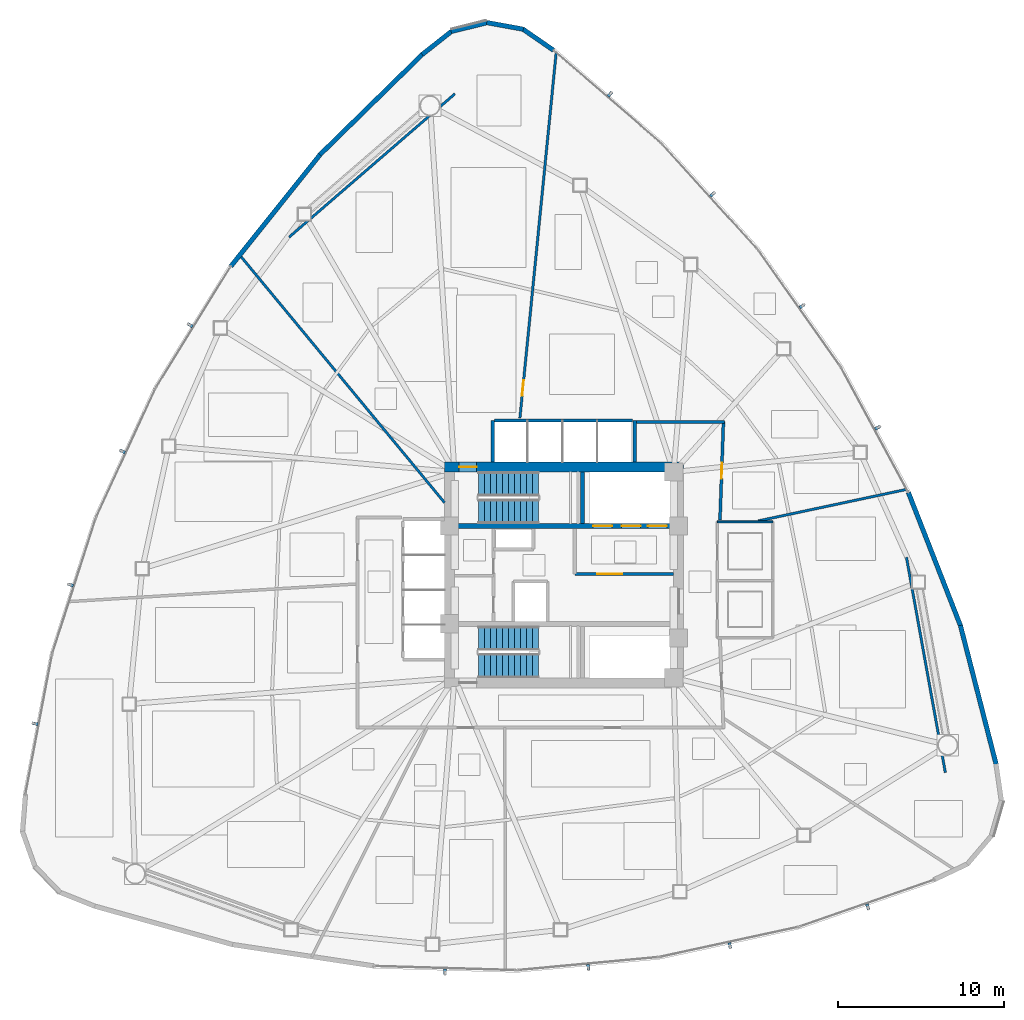
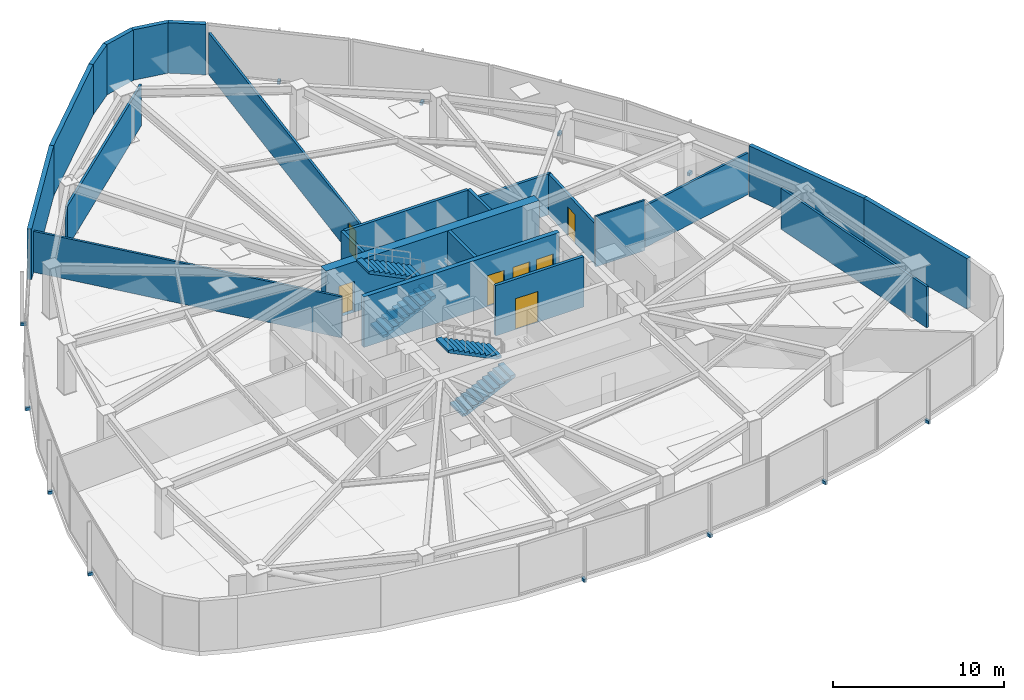
# One storey, part 12 of 16: 23 walls, 12 discrete accessories, 7 doors, 4 stair flights, 7 openings, 2 elements without a shape of their own.
"""IFC4 building model written with IfcOpenShell, lengths in metres."""

from ifc_helpers import new_model, si_unit, direction, frame, frame_2d, origin, origin_2d, place, context, subcontext, project, spatial, polyline, rectangle, outline, extrude, source, transform, mapped, material, layer, layer_set, type_object, type_shapes, element, fill, aggregate, save


model = new_model("IFC4")

# Units and contexts
model_context = context("Model", 3, precision=1e-05, world=origin(), true_north=direction((0.0, 1.0)))
body_context = subcontext(model_context, "Body", "Model", "MODEL_VIEW")
ifc_project = project(units=[si_unit("LENGTHUNIT", "METRE"), si_unit("AREAUNIT", "SQUARE_METRE"), si_unit("VOLUMEUNIT", "CUBIC_METRE"), si_unit("PLANEANGLEUNIT", "RADIAN"), si_unit("MASSUNIT", "GRAM", prefix="KILO")], contexts=[model_context])

# Site, building, storey
site_placement = place(None, origin())
site = spatial("IfcSite", under=ifc_project, at=site_placement, CompositionType="ELEMENT")
building_placement = place(site_placement, origin())
building = spatial("IfcBuilding", under=site, at=building_placement, Name="Tavelor Broadcast Tower", CompositionType="ELEMENT")
storey_placement = place(building_placement, frame((0.0, 0.0, 31.5)))
storey = spatial("IfcBuildingStorey", under=building, at=storey_placement, Name="L06", CompositionType="ELEMENT", Elevation=31.5)

# Wall, opening, door
ifc_material_1 = material(Name="Concrete C60/75", Category="concrete")
ifc_layer_1 = layer(ifc_material_1, 0.60009765625)
ifc_layer_set_1 = layer_set([ifc_layer_1], Name="Concrete C60/75")
wall_type_1 = type_object("IfcWallType", Name="Core Shear Wall 600 mm", PredefinedType="SHEAR", material=ifc_layer_set_1)
wall_1_placement = place(storey_placement, frame((42.800048828125, 51.5, 0.0), z_axis=(0.0, 0.0, 1.0), x_axis=(1.0, 0.0, 0.0)))
wall_1 = element("IfcWall", 1, at=wall_1_placement, inside=storey, type_object=wall_type_1, Name="L06 Central Core Shear Wall N", PredefinedType="SHEAR", context=body_context, shape_type="SweptSolid", body=[
    extrude(rectangle(XDim=14.39990234375, YDim=0.60009765625, at=frame_2d((7.199951171875, 0.0))), origin(), (0.0, 0.0, 1.0), 3.60009765625),
])
opening_1_placement = place(wall_1_placement, frame((0.8798828125, 0.0, 0.0)))
opening_1 = element("IfcOpeningElement", 2, at=opening_1_placement, cuts=wall_1, Name="Opening DR11", PredefinedType="OPENING", context=body_context, shape_type="SweptSolid", body=[
    extrude(rectangle(XDim=1.050048828125, YDim=2.199951171875, at=frame_2d((0.52490234375, 1.10009765625))), frame((0.0, 0.31005859375, 0.0), z_axis=(0.0, -1.0, 0.0), x_axis=(1.0, 0.0, 0.0)), (0.0, 0.0, 1.0), 0.6201171875),
])
ifc_material_2 = material(Name="Steel S355", Category="steel")
door_type_1 = type_object("IfcDoorType", Name="Stair Core Fire Escape Door 1050x2200", OperationType="NOTDEFINED", PredefinedType="DOOR", material=ifc_material_2)
door_1_placement = place(opening_1_placement, origin())
door_1 = element("IfcDoor", 3, at=door_1_placement, inside=storey, type_object=door_type_1, Name="L06 Stair ST1 Protected Exit Door", OperationType="SINGLE_SWING_LEFT", OverallHeight=2.199951171875, OverallWidth=1.050048828125, PredefinedType="DOOR", context=body_context, shape_type="SweptSolid", body=[
    extrude(rectangle(XDim=1.050048828125, YDim=2.199951171875, at=frame_2d((0.52490234375, 1.10009765625))), frame((0.0, 0.02490234375, 0.0), z_axis=(0.0, -1.0, 0.0), x_axis=(1.0, 0.0, 0.0)), (0.0, 0.0, 1.0), 0.050048828125),
])
fill(opening_1, door_1)

# Wall, openings, doors
ifc_layer_2 = layer(ifc_material_1, 0.300048828125)
ifc_layer_set_2 = layer_set([ifc_layer_2], Name="Concrete C60/75")
wall_type_2 = type_object("IfcWallType", Name="Core Spine Shear Wall 300 mm C60", PredefinedType="SHEAR", material=ifc_layer_set_2)
wall_2_placement = place(storey_placement, frame((43.39990234375, 47.949951171875, 0.0), z_axis=(0.0, 0.0, 1.0), x_axis=(1.0, 0.0, 0.0)))
wall_2 = element("IfcWall", 4, at=wall_2_placement, inside=storey, type_object=wall_type_2, Name="L06 Central Core Shear Wall SP1", PredefinedType="SHEAR", context=body_context, shape_type="SweptSolid", body=[
    extrude(rectangle(XDim=13.2001953125, YDim=0.300048828125, at=frame_2d((6.60009765625, 0.0))), origin(), (0.0, 0.0, 1.0), 3.60009765625),
])
opening_2_placement = place(wall_2_placement, frame((8.344970703125, 0.0, 0.0)))
opening_2 = element("IfcOpeningElement", 5, at=opening_2_placement, cuts=wall_2, Name="Opening LD02", PredefinedType="OPENING", context=body_context, shape_type="SweptSolid", body=[
    extrude(rectangle(XDim=1.14990234375, YDim=2.199951171875, at=frame_2d((0.574951171875, 1.10009765625))), frame((0.0, 0.16015625, 0.0), z_axis=(0.0, -1.0, 0.0), x_axis=(1.0, 0.0, 0.0)), (0.0, 0.0, 1.0), 0.320068359375),
])
opening_3_placement = place(wall_2_placement, frame((10.06494140625, 0.0, 0.0)))
opening_3 = element("IfcOpeningElement", 6, at=opening_3_placement, cuts=wall_2, Name="Opening LD02", PredefinedType="OPENING", context=body_context, shape_type="SweptSolid", body=[
    extrude(rectangle(XDim=1.14990234375, YDim=2.199951171875, at=frame_2d((0.574951171875, 1.10009765625))), frame((0.0, 0.16015625, 0.0), z_axis=(0.0, -1.0, 0.0), x_axis=(1.0, 0.0, 0.0)), (0.0, 0.0, 1.0), 0.320068359375),
])
opening_4_placement = place(wall_2_placement, frame((11.64501953125, 0.0, 0.0)))
opening_4 = element("IfcOpeningElement", 7, at=opening_4_placement, cuts=wall_2, Name="Opening LD03", PredefinedType="OPENING", context=body_context, shape_type="SweptSolid", body=[
    extrude(rectangle(XDim=1.14990234375, YDim=2.199951171875, at=frame_2d((0.574951171875, 1.10009765625))), frame((0.0, 0.16015625, 0.0), z_axis=(0.0, -1.0, 0.0), x_axis=(1.0, 0.0, 0.0)), (0.0, 0.0, 1.0), 0.320068359375),
])
ifc_material_3 = material(Name="Reinforced Brushed Stainless Steel", Category="concrete")
door_type_2 = type_object("IfcDoorType", Name="Broadcast Goods Lift Sliding Landing Door 1250x2200", OperationType="NOTDEFINED", PredefinedType="DOOR", material=ifc_material_3)
door_2_placement = place(opening_4_placement, origin())
door_2 = element("IfcDoor", 8, at=door_2_placement, inside=storey, type_object=door_type_2, Name="L06 Lift SVL1 Sliding Landing Door", OperationType="SLIDING_TO_LEFT", OverallHeight=2.199951171875, OverallWidth=1.14990234375, PredefinedType="DOOR", context=body_context, shape_type="SweptSolid", body=[
    extrude(rectangle(XDim=1.14990234375, YDim=2.199951171875, at=frame_2d((0.574951171875, 1.10009765625))), frame((0.0, 0.02490234375, 0.0), z_axis=(0.0, -1.0, 0.0), x_axis=(1.0, 0.0, 0.0)), (0.0, 0.0, 1.0), 0.050048828125),
])
fill(opening_4, door_2)
ifc_material_4 = material(Name="Fire-Rated Stainless Steel", Category="steel")
door_type_3 = type_object("IfcDoorType", Name="Firefighting Lift Sliding Landing Door 1200x2200", OperationType="NOTDEFINED", PredefinedType="DOOR", material=ifc_material_4)
door_3_placement = place(opening_2_placement, origin())
door_3 = element("IfcDoor", 9, at=door_3_placement, inside=storey, type_object=door_type_3, Name="L06 Lift FFL1 Sliding Landing Door", OperationType="SLIDING_TO_LEFT", OverallHeight=2.199951171875, OverallWidth=1.14990234375, PredefinedType="DOOR", context=body_context, shape_type="SweptSolid", body=[
    extrude(rectangle(XDim=1.14990234375, YDim=2.199951171875, at=frame_2d((0.574951171875, 1.10009765625))), frame((0.0, 0.02490234375, 0.0), z_axis=(0.0, -1.0, 0.0), x_axis=(1.0, 0.0, 0.0)), (0.0, 0.0, 1.0), 0.050048828125),
])
fill(opening_2, door_3)
door_4_placement = place(opening_3_placement, origin())
door_4 = element("IfcDoor", 10, at=door_4_placement, inside=storey, type_object=door_type_3, Name="L06 Lift FFL2 Sliding Landing Door", OperationType="SLIDING_TO_LEFT", OverallHeight=2.199951171875, OverallWidth=1.14990234375, PredefinedType="DOOR", context=body_context, shape_type="SweptSolid", body=[
    extrude(rectangle(XDim=1.14990234375, YDim=2.199951171875, at=frame_2d((0.574951171875, 1.10009765625))), frame((0.0, 0.02490234375, 0.0), z_axis=(0.0, -1.0, 0.0), x_axis=(1.0, 0.0, 0.0)), (0.0, 0.0, 1.0), 0.050048828125),
])
fill(opening_3, door_4)

# Wall
ifc_material_5 = material(Name="Calcium Silicate Fire Board 180 mm", Category="gypsum")
ifc_layer_3 = layer(ifc_material_5, 0.179931640625)
ifc_layer_set_3 = layer_set([ifc_layer_3], Name="Calcium Silicate Fire Board 180 mm")
wall_type_3 = type_object("IfcWallType", Name="Fire-Rated Corridor Partition Wall 180 mm", PredefinedType="PARTITIONING", material=ifc_layer_set_3)
wall_3_placement = place(storey_placement, frame((54.300048828125, 54.199951171875, 0.0), z_axis=(0.0, 0.0, 1.0), x_axis=(1.0, 0.0, 0.0)))
element("IfcWall", 11, at=wall_3_placement, inside=storey, type_object=wall_type_3, Name="L06 Corridor Compartment Wall 01", PredefinedType="PARTITIONING", context=body_context, shape_type="SweptSolid", body=[
    extrude(rectangle(XDim=5.349853515625, YDim=0.179931640625, at=frame_2d((2.6748046875, 0.0))), origin(), (0.0, 0.0, 1.0), 2.925048828125),
])

# Wall, opening, door
wall_4_placement = place(storey_placement, frame((59.601806640625, 54.25, 0.0), z_axis=(0.0, 0.0, 1.0), x_axis=(-0.035265891834, -0.999377964973, 0.0)))
wall_4 = element("IfcWall", 12, at=wall_4_placement, inside=storey, type_object=wall_type_3, Name="L06 Corridor Compartment Wall 02", PredefinedType="PARTITIONING", context=body_context, shape_type="SweptSolid", body=[
    extrude(rectangle(XDim=5.95361328125, YDim=0.179931640625, at=frame_2d((2.976806640625, 0.0))), origin(), (0.0, 0.0, 1.0), 2.925048828125),
])
opening_5_placement = place(wall_4_placement, frame((2.501708984375, 0.0, 0.0)))
opening_5 = element("IfcOpeningElement", 13, at=opening_5_placement, cuts=wall_4, Name="Opening DR18", PredefinedType="OPENING", context=body_context, shape_type="SweptSolid", body=[
    extrude(rectangle(XDim=0.949951171875, YDim=2.050048828125, at=frame_2d((0.47509765625, 1.02490234375))), frame((0.0, 0.10009765625, 0.0), z_axis=(0.0, -1.0, 0.0), x_axis=(1.0, 0.0, 0.0)), (0.0, 0.0, 1.0), 0.199951171875),
])
ifc_material_6 = material(Name="Timber Solid Core Hardwood", Category="wood")
door_type_4 = type_object("IfcDoorType", Name="Corridor Rated Compartment Door 950x2050", OperationType="NOTDEFINED", PredefinedType="DOOR", material=ifc_material_6)
door_5_placement = place(opening_5_placement, origin())
door_5 = element("IfcDoor", 14, at=door_5_placement, inside=storey, type_object=door_type_4, Name="L06 Editorial Quiet Study Door R5", OperationType="SINGLE_SWING_RIGHT", OverallHeight=2.050048828125, OverallWidth=0.949951171875, PredefinedType="DOOR", context=body_context, shape_type="SweptSolid", body=[
    extrude(rectangle(XDim=0.949951171875, YDim=2.050048828125, at=frame_2d((0.47509765625, 1.02490234375))), frame((0.0, 0.02490234375, 0.0), z_axis=(0.0, -1.0, 0.0), x_axis=(1.0, 0.0, 0.0)), (0.0, 0.0, 1.0), 0.050048828125),
])
fill(opening_5, door_5)

# Walls
ifc_material_7 = material(Name="Precast Concrete C40/50", Category="concrete")
ifc_layer_4 = layer(ifc_material_7, 0.280029296875)
ifc_layer_set_4 = layer_set([ifc_layer_4], Name="Precast Concrete C40/50")
wall_type_4 = type_object("IfcWallType", Name="Insulated Precast Terracotta Facade Wall 280 mm", PredefinedType="STANDARD", material=ifc_layer_set_4)
wall_5_placement = place(storey_placement, frame((49.365234375, 76.607421875, 0.0), z_axis=(0.0, 0.0, 1.0), x_axis=(-0.822668510747, 0.568521346499, 0.0)))
element("IfcWall", 15, at=wall_5_placement, inside=storey, type_object=wall_type_4, Name="L06 Rounded Corner Structural Cladding Pier 01", PredefinedType="STANDARD", context=body_context, shape_type="SweptSolid", body=[
    extrude(rectangle(XDim=2.249755859375, YDim=0.280029296875, at=frame_2d((1.125, 0.0))), origin(), (0.0, 0.0, 1.0), 3.60009765625),
])
for number, where, z_axis, x_axis, name in (
    (16, (47.54150390625, 77.875244140625, 0.0), (0.0, 0.0, 1.0), (-0.983712468451, 0.179749212552, 0.0), "L06 Rounded Corner Structural Cladding Pier 02"),
    (17, (45.368896484375, 78.2783203125, 0.0), (0.0, 0.0, 1.0), (-0.97051348272, -0.241046841629, 0.0), "L06 Rounded Corner Structural Cladding Pier 03"),
):
    element("IfcWall", number, at=place(storey_placement, frame(where, z_axis=z_axis, x_axis=x_axis)), inside=storey, type_object=wall_type_4, Name=name, PredefinedType="STANDARD", context=body_context, shape_type="SweptSolid", body=[
        extrude(rectangle(XDim=2.23828125, YDim=0.280029296875, at=frame_2d((1.119140625, 0.0))), origin(), (0.0, 0.0, 1.0), 3.60009765625),
    ])
wall_6_placement = place(storey_placement, frame((43.222900390625, 77.751708984375, 0.0), z_axis=(0.0, 0.0, 1.0), x_axis=(-0.785294404036, -0.619122523407, 0.0)))
element("IfcWall", 18, at=wall_6_placement, inside=storey, type_object=wall_type_4, Name="L06 Rounded Corner Structural Cladding Pier 04", PredefinedType="STANDARD", context=body_context, shape_type="SweptSolid", body=[
    extrude(rectangle(XDim=2.260986328125, YDim=0.280029296875, at=frame_2d((1.13037109375, 0.0))), origin(), (0.0, 0.0, 1.0), 3.60009765625),
])
wall_7_placement = place(storey_placement, frame((41.4697265625, 76.37158203125, 0.0), z_axis=(0.0, 0.0, 1.0), x_axis=(-0.714184334578, -0.699957667465, 0.0)))
element("IfcWall", 19, at=wall_7_placement, inside=storey, type_object=wall_type_4, Name="L06 Rounded Corner Structural Cladding Pier 05", PredefinedType="STANDARD", context=body_context, shape_type="SweptSolid", body=[
    extrude(rectangle(XDim=8.64892578125, YDim=0.280029296875, at=frame_2d((4.324462890625, 0.0))), origin(), (0.0, 0.0, 1.0), 3.60009765625),
])
wall_8_placement = place(storey_placement, frame((35.312744140625, 70.33984375, 0.0), z_axis=(0.0, 0.0, 1.0), x_axis=(-0.624222665677, -0.781246480731, 0.0)))
element("IfcWall", 20, at=wall_8_placement, inside=storey, type_object=wall_type_4, Name="L06 Rounded Corner Structural Cladding Pier 06", PredefinedType="STANDARD", context=body_context, shape_type="SweptSolid", body=[
    extrude(rectangle(XDim=8.636962890625, YDim=0.280029296875, at=frame_2d((4.318359375, 0.0))), origin(), (0.0, 0.0, 1.0), 3.60009765625),
])
wall_9_placement = place(storey_placement, frame((76.03369140625, 33.583740234375, 0.0), z_axis=(0.0, 0.0, 1.0), x_axis=(-0.249078863516, 0.968483205714, 0.0)))
element("IfcWall", 21, at=wall_9_placement, inside=storey, type_object=wall_type_4, Name="L06 Rounded Corner Structural Cladding Pier 25", PredefinedType="STANDARD", context=body_context, shape_type="SweptSolid", body=[
    extrude(rectangle(XDim=8.649169921875, YDim=0.280029296875, at=frame_2d((4.32470703125, 0.0))), origin(), (0.0, 0.0, 1.0), 3.60009765625),
])
wall_10_placement = place(storey_placement, frame((73.888671875, 41.931884765625, 0.0), z_axis=(0.0, 0.0, 1.0), x_axis=(-0.364469689699, 0.931215251857, 0.0)))
element("IfcWall", 22, at=wall_10_placement, inside=storey, type_object=wall_type_4, Name="L06 Rounded Corner Structural Cladding Pier 26", PredefinedType="STANDARD", context=body_context, shape_type="SweptSolid", body=[
    extrude(rectangle(XDim=8.636962890625, YDim=0.280029296875, at=frame_2d((4.318359375, 0.0))), origin(), (0.0, 0.0, 1.0), 3.60009765625),
])
ifc_material_8 = material(Name="Gypsum Acoustic Plasterboard 150 mm", Category="gypsum")
ifc_layer_5 = layer(ifc_material_8, 0.14990234375)
ifc_layer_set_5 = layer_set([ifc_layer_5], Name="Gypsum Acoustic Plasterboard 150 mm")
wall_type_5 = type_object("IfcWallType", Name="Interior Acoustic Partition Wall 150 mm", PredefinedType="PARTITIONING", material=ifc_layer_set_5)
wall_11_placement = place(storey_placement, frame((43.42138671875, 73.9794921875, 0.0), z_axis=(0.0, 0.0, 1.0), x_axis=(-0.756659135409, -0.653809569218, 0.0)))
element("IfcWall", 23, at=wall_11_placement, inside=storey, type_object=wall_type_5, Name="L06 Corner Tube Brace Furring Wall 1", PredefinedType="PARTITIONING", context=body_context, shape_type="SweptSolid", body=[
    extrude(rectangle(XDim=13.200439453125, YDim=0.14990234375, at=frame_2d((6.60009765625, 0.0))), origin(), (0.0, 0.0, 1.0), 2.925048828125),
])
wall_12_placement = place(storey_placement, frame((72.96923828125, 33.09130859375, 0.0), z_axis=(0.0, 0.0, 1.0), x_axis=(-0.177742578179, 0.984077017261, 0.0)))
element("IfcWall", 24, at=wall_12_placement, inside=storey, type_object=wall_type_5, Name="L06 Corner Tube Brace Furring Wall 3", PredefinedType="PARTITIONING", context=body_context, shape_type="SweptSolid", body=[
    extrude(rectangle(XDim=13.179443359375, YDim=0.14990234375, at=frame_2d((6.58984375, 0.0))), origin(), (0.0, 0.0, 1.0), 2.925048828125),
])
wall_13_placement = place(storey_placement, frame((61.68994140625, 48.25, 0.0), z_axis=(0.0, 0.0, 1.0), x_axis=(0.978145714451, 0.207920564881, 0.0)))
element("IfcWall", 25, at=wall_13_placement, inside=storey, type_object=wall_type_5, Name="L06 Radial Compartment Wall 01", PredefinedType="PARTITIONING", context=body_context, shape_type="SweptSolid", body=[
    extrude(rectangle(XDim=9.16455078125, YDim=0.14990234375, at=frame_2d((4.582275390625, 0.0))), origin(), (0.0, 0.0, 1.0), 2.97509765625),
])

# Wall, opening, door
wall_14_placement = place(storey_placement, frame((47.33837890625, 54.449951171875, 0.0), z_axis=(0.0, 0.0, 1.0), x_axis=(0.098804932586, 0.995106821048, 0.0)))
wall_14 = element("IfcWall", 26, at=wall_14_placement, inside=storey, type_object=wall_type_5, Name="L06 Radial Compartment Wall 02", PredefinedType="PARTITIONING", context=body_context, shape_type="SweptSolid", body=[
    extrude(rectangle(XDim=22.1396484375, YDim=0.14990234375, at=frame_2d((11.06982421875, 0.0))), origin(), (0.0, 0.0, 1.0), 2.97509765625),
])
opening_6_placement = place(wall_14_placement, frame((1.35009765625, 0.0, 0.0)))
opening_6 = element("IfcOpeningElement", 27, at=opening_6_placement, cuts=wall_14, Name="Opening DR18", PredefinedType="OPENING", context=body_context, shape_type="SweptSolid", body=[
    extrude(rectangle(XDim=0.949951171875, YDim=2.050048828125, at=frame_2d((0.47509765625, 1.02490234375))), frame((0.0, 0.0849609375, 0.0), z_axis=(0.0, -1.0, 0.0), x_axis=(1.0, 0.0, 0.0)), (0.0, 0.0, 1.0), 0.169921875),
])
door_6_placement = place(opening_6_placement, origin())
door_6 = element("IfcDoor", 28, at=door_6_placement, inside=storey, type_object=door_type_4, Name="L06 Suite Connecting Door 4", OperationType="SINGLE_SWING_LEFT", OverallHeight=2.050048828125, OverallWidth=0.949951171875, PredefinedType="DOOR", context=body_context, shape_type="SweptSolid", body=[
    extrude(rectangle(XDim=0.949951171875, YDim=2.050048828125, at=frame_2d((0.47509765625, 1.02490234375))), frame((0.0, 0.02490234375, 0.0), z_axis=(0.0, -1.0, 0.0), x_axis=(1.0, 0.0, 0.0)), (0.0, 0.0, 1.0), 0.050048828125),
])
fill(opening_6, door_6)

# Walls
wall_15_placement = place(storey_placement, frame((42.800048828125, 49.351318359375, 0.0), z_axis=(0.0, 0.0, 1.0), x_axis=(-0.637467614693, 0.770477151003, 0.0)))
element("IfcWall", 29, at=wall_15_placement, inside=storey, type_object=wall_type_5, Name="L06 Radial Compartment Wall 03", PredefinedType="PARTITIONING", context=body_context, shape_type="SweptSolid", body=[
    extrude(rectangle(XDim=19.368408203125, YDim=0.14990234375, at=frame_2d((9.68408203125, 0.0))), origin(), (0.0, 0.0, 1.0), 2.925048828125),
])
ifc_material_9 = material(Name="Concrete Blockwork 200 mm", Category="masonry")
ifc_layer_6 = layer(ifc_material_9, 0.199951171875)
ifc_layer_set_6 = layer_set([ifc_layer_6], Name="Concrete Blockwork 200 mm")
wall_type_6 = type_object("IfcWallType", Name="Lift Hoistway Rated Front Wall 200 mm", PredefinedType="PARTITIONING", material=ifc_layer_set_6)
wall_16_placement = place(storey_placement, frame((45.820068359375, 54.300048828125, 0.0), z_axis=(0.0, 0.0, 1.0), x_axis=(1.0, 0.0, 0.0)))
element("IfcWall", 30, at=wall_16_placement, inside=storey, type_object=wall_type_6, Name="L06 High-Rise Lift Hoistway Front Wall", PredefinedType="PARTITIONING", context=body_context, shape_type="SweptSolid", body=[
    extrude(rectangle(XDim=8.309814453125, YDim=0.199951171875, at=frame_2d((4.15478515625, 0.0))), origin(), (0.0, 0.0, 1.0), 3.60009765625),
])
ifc_layer_7 = layer(ifc_material_9, 0.199951171875)
ifc_layer_set_7 = layer_set([ifc_layer_7], Name="Concrete Blockwork 200 mm")
wall_type_7 = type_object("IfcWallType", Name="Lift and Riser Shaft Enclosure Wall 200 mm", PredefinedType="PARTITIONING", material=ifc_layer_set_7)
for number, where, z_axis, x_axis, name in (
    (31, (45.699951171875, 51.800048828125, 0.0), (0.0, 0.0, 1.0), (0.0, 1.0, 0.0), "L06 High-Rise Lift Shaft West Wall"),
    (32, (54.25, 51.800048828125, 0.0), (0.0, 0.0, 1.0), (0.0, 1.0, 0.0), "L06 High-Rise Lift Shaft East Wall"),
):
    element("IfcWall", number, at=place(storey_placement, frame(where, z_axis=z_axis, x_axis=x_axis)), inside=storey, type_object=wall_type_7, Name=name, PredefinedType="PARTITIONING", context=body_context, shape_type="SweptSolid", body=[
        extrude(rectangle(XDim=2.5, YDim=0.199951171875, at=frame_2d((1.25, 0.0))), origin(), (0.0, 0.0, 1.0), 3.60009765625),
    ])

# Wall, opening, door
wall_17_placement = place(storey_placement, frame((50.64990234375, 45.050048828125, 0.0), z_axis=(0.0, 0.0, 1.0), x_axis=(1.0, 0.0, 0.0)))
wall_17 = element("IfcWall", 33, at=wall_17_placement, inside=storey, type_object=wall_type_7, Name="L06 Firefighting Lobby South Wall", PredefinedType="PARTITIONING", context=body_context, shape_type="SweptSolid", body=[
    extrude(rectangle(XDim=5.9501953125, YDim=0.199951171875, at=frame_2d((2.97509765625, 0.0))), origin(), (0.0, 0.0, 1.0), 3.60009765625),
])
opening_7_placement = place(wall_17_placement, frame((1.35009765625, 0.0, 0.0)))
opening_7 = element("IfcOpeningElement", 34, at=opening_7_placement, cuts=wall_17, Name="Opening DR14", PredefinedType="OPENING", context=body_context, shape_type="SweptSolid", body=[
    extrude(rectangle(XDim=1.5, YDim=2.199951171875, at=frame_2d((0.75, 1.10009765625))), frame((0.0, 0.10986328125, 0.0), z_axis=(0.0, -1.0, 0.0), x_axis=(1.0, 0.0, 0.0)), (0.0, 0.0, 1.0), 0.219970703125),
])
door_type_5 = type_object("IfcDoorType", Name="Firefighting Lobby Double Fire Door 1500x2200", OperationType="NOTDEFINED", PredefinedType="DOOR", material=ifc_material_2)
door_7_placement = place(opening_7_placement, origin())
door_7 = element("IfcDoor", 35, at=door_7_placement, inside=storey, type_object=door_type_5, Name="L06 Firefighting Lobby Compartment Door", OperationType="SINGLE_SWING_RIGHT", OverallHeight=2.199951171875, OverallWidth=1.5, PredefinedType="DOOR", context=body_context, shape_type="SweptSolid", body=[
    extrude(rectangle(XDim=1.5, YDim=2.199951171875, at=frame_2d((0.75, 1.10009765625))), frame((0.0, 0.02490234375, 0.0), z_axis=(0.0, -1.0, 0.0), x_axis=(1.0, 0.0, 0.0)), (0.0, 0.0, 1.0), 0.050048828125),
])
fill(opening_7, door_7)

# Walls
ifc_material_10 = material(Name="Moisture-Resistant Plasterboard 120 mm", Category="gypsum")
ifc_layer_8 = layer(ifc_material_10, 0.1201171875)
ifc_layer_set_8 = layer_set([ifc_layer_8], Name="Moisture-Resistant Plasterboard 120 mm")
wall_type_8 = type_object("IfcWallType", Name="Moisture-Resistant Wet-Room Partition 120 mm", PredefinedType="PARTITIONING", material=ifc_layer_set_8)
wall_18_placement = place(storey_placement, frame((59.239990234375, 48.199951171875, 0.0), z_axis=(0.0, 0.0, 1.0), x_axis=(1.0, 0.0, 0.0)))
element("IfcWall", 36, at=wall_18_placement, inside=storey, type_object=wall_type_8, Name="L06 Floor Washrooms North Wall", PredefinedType="PARTITIONING", context=body_context, shape_type="SweptSolid", body=[
    extrude(rectangle(XDim=3.340087890625, YDim=0.1201171875, at=frame_2d((1.669921875, 0.0))), origin(), (0.0, 0.0, 1.0), 3.60009765625),
])
ifc_material_11 = material(Name="Concrete C40/50", Category="concrete")
ifc_layer_9 = layer(ifc_material_11, 0.219970703125)
ifc_layer_set_9 = layer_set([ifc_layer_9], Name="Concrete C40/50")
wall_type_9 = type_object("IfcWallType", Name="Structural Stairwell Shear Wall 220 mm", PredefinedType="SHEAR", material=ifc_layer_set_9)
wall_19_placement = place(storey_placement, frame((51.110107421875, 48.10009765625, 0.0), z_axis=(0.0, 0.0, 1.0), x_axis=(0.0, 1.0, 0.0)))
element("IfcWall", 37, at=wall_19_placement, inside=storey, type_object=wall_type_9, Name="L06 Stair ST1 Structural Shaft Wall", PredefinedType="SHEAR", context=body_context, shape_type="SweptSolid", body=[
    extrude(rectangle(XDim=3.099853515625, YDim=0.219970703125, at=frame_2d((1.5498046875, 0.0))), origin(), (0.0, 0.0, 1.0), 3.60009765625),
])

# Stair, stair flights
stair_type = type_object("IfcStairType", Name="Reinforced Concrete Protected Dogleg Stair 1450 mm", PredefinedType="HALF_TURN_STAIR", material=ifc_material_11)
stair_1_placement = place(storey_placement, origin())
stair_1 = element("IfcStair", 38, at=stair_1_placement, inside=storey, type_object=stair_type, Name="L06 Protected Core Exit Stair ST1", PredefinedType="HALF_TURN_STAIR")
stair_flight_type = type_object("IfcStairFlightType", Name="Reinforced Concrete Stair Flight 1450 mm", PredefinedType="STRAIGHT", material=ifc_material_11)
stair_flight_1_placement = place(storey_placement, frame((44.85009765625, 48.824951171875, 0.0), z_axis=(0.0, 0.0, 1.0), x_axis=(1.0, 0.0, 0.0)))
stair_flight_1 = element("IfcStairFlight", 39, at=stair_flight_1_placement, type_object=stair_flight_type, Name="ST1 flight 1", NumberOfRisers=11, NumberOfTreads=10, PredefinedType="STRAIGHT", RiserHeight=0.177272727, TreadLength=0.36, context=body_context, shape_type="SweptSolid", body=[
    extrude(outline(polyline([(0.0, 0.0), (0.0, 0.17724609375), (0.360107421875, 0.17724609375), (0.360107421875, 0.3544921875), (0.719970703125, 0.3544921875), (0.719970703125, 0.53173828125), (1.080078125, 0.53173828125), (1.080078125, 0.708984375), (1.43994140625, 0.708984375), (1.43994140625, 0.886474609375), (1.800048828125, 0.886474609375), (1.800048828125, 1.063720703125), (2.159912109375, 1.063720703125), (2.159912109375, 1.240966796875), (2.52001953125, 1.240966796875), (2.52001953125, 1.418212890625), (2.8798828125, 1.418212890625), (2.8798828125, 1.595458984375), (3.239990234375, 1.595458984375), (3.239990234375, 1.772705078125), (3.60009765625, 1.772705078125), (3.60009765625, 1.949951171875), (3.60009765625, 1.605712890625), (0.33935546875, 0.0), (0.0, 0.0)])), frame((0.0, 0.72509765625, 0.0), z_axis=(0.0, -1.0, 0.0), x_axis=(1.0, 0.0, 0.0)), (0.0, 0.0, 1.0), 1.449951171875),
])
stair_flight_2_placement = place(storey_placement, frame((48.449951171875, 50.47509765625, 1.949951171875), z_axis=(0.0, 0.0, 1.0), x_axis=(-1.0, 0.0, 0.0)))
stair_flight_2 = element("IfcStairFlight", 40, at=stair_flight_2_placement, type_object=stair_flight_type, Name="ST1 flight 2", NumberOfRisers=11, NumberOfTreads=10, PredefinedType="STRAIGHT", RiserHeight=0.177272727, TreadLength=0.36, context=body_context, shape_type="SweptSolid", body=[
    extrude(outline(polyline([(0.0, 0.0), (0.0, 0.17724609375), (0.360107421875, 0.17724609375), (0.360107421875, 0.3544921875), (0.719970703125, 0.3544921875), (0.719970703125, 0.53173828125), (1.080078125, 0.53173828125), (1.080078125, 0.708984375), (1.43994140625, 0.708984375), (1.43994140625, 0.886474609375), (1.800048828125, 0.886474609375), (1.800048828125, 1.063720703125), (2.159912109375, 1.063720703125), (2.159912109375, 1.240966796875), (2.52001953125, 1.240966796875), (2.52001953125, 1.418212890625), (2.8798828125, 1.418212890625), (2.8798828125, 1.595458984375), (3.239990234375, 1.595458984375), (3.239990234375, 1.772705078125), (3.60009765625, 1.772705078125), (3.60009765625, 1.949951171875), (3.60009765625, 1.605712890625), (0.33935546875, 0.0), (0.0, 0.0)])), frame((0.0, 0.72509765625, 0.0), z_axis=(0.0, -1.0, 0.0), x_axis=(1.0, 0.0, 0.0)), (0.0, 0.0, 1.0), 1.449951171875),
])
aggregate(stair_1, [stair_flight_1, stair_flight_2])

stair_2_placement = place(storey_placement, origin())
stair_2 = element("IfcStair", 41, at=stair_2_placement, inside=storey, type_object=stair_type, Name="L06 Protected Core Exit Stair ST2", PredefinedType="HALF_TURN_STAIR")
stair_flight_3_placement = place(storey_placement, frame((44.85009765625, 39.52490234375, 0.0), z_axis=(0.0, 0.0, 1.0), x_axis=(1.0, 0.0, 0.0)))
stair_flight_3 = element("IfcStairFlight", 42, at=stair_flight_3_placement, type_object=stair_flight_type, Name="ST2 flight 1", NumberOfRisers=11, NumberOfTreads=10, PredefinedType="STRAIGHT", RiserHeight=0.177272727, TreadLength=0.36, context=body_context, shape_type="SweptSolid", body=[
    extrude(outline(polyline([(0.0, 0.0), (0.0, 0.17724609375), (0.360107421875, 0.17724609375), (0.360107421875, 0.3544921875), (0.719970703125, 0.3544921875), (0.719970703125, 0.53173828125), (1.080078125, 0.53173828125), (1.080078125, 0.708984375), (1.43994140625, 0.708984375), (1.43994140625, 0.886474609375), (1.800048828125, 0.886474609375), (1.800048828125, 1.063720703125), (2.159912109375, 1.063720703125), (2.159912109375, 1.240966796875), (2.52001953125, 1.240966796875), (2.52001953125, 1.418212890625), (2.8798828125, 1.418212890625), (2.8798828125, 1.595458984375), (3.239990234375, 1.595458984375), (3.239990234375, 1.772705078125), (3.60009765625, 1.772705078125), (3.60009765625, 1.949951171875), (3.60009765625, 1.605712890625), (0.33935546875, 0.0), (0.0, 0.0)])), frame((0.0, 0.72509765625, 0.0), z_axis=(0.0, -1.0, 0.0), x_axis=(1.0, 0.0, 0.0)), (0.0, 0.0, 1.0), 1.449951171875),
])
stair_flight_4_placement = place(storey_placement, frame((48.449951171875, 41.175048828125, 1.949951171875), z_axis=(0.0, 0.0, 1.0), x_axis=(-1.0, 0.0, 0.0)))
stair_flight_4 = element("IfcStairFlight", 43, at=stair_flight_4_placement, type_object=stair_flight_type, Name="ST2 flight 2", NumberOfRisers=11, NumberOfTreads=10, PredefinedType="STRAIGHT", RiserHeight=0.177272727, TreadLength=0.36, context=body_context, shape_type="SweptSolid", body=[
    extrude(outline(polyline([(0.0, 0.0), (0.0, 0.17724609375), (0.360107421875, 0.17724609375), (0.360107421875, 0.3544921875), (0.719970703125, 0.3544921875), (0.719970703125, 0.53173828125), (1.080078125, 0.53173828125), (1.080078125, 0.708984375), (1.43994140625, 0.708984375), (1.43994140625, 0.886474609375), (1.800048828125, 0.886474609375), (1.800048828125, 1.063720703125), (2.159912109375, 1.063720703125), (2.159912109375, 1.240966796875), (2.52001953125, 1.240966796875), (2.52001953125, 1.418212890625), (2.8798828125, 1.418212890625), (2.8798828125, 1.595458984375), (3.239990234375, 1.595458984375), (3.239990234375, 1.772705078125), (3.60009765625, 1.772705078125), (3.60009765625, 1.949951171875), (3.60009765625, 1.605712890625), (0.33935546875, 0.0), (0.0, 0.0)])), frame((0.0, 0.72509765625, 0.0), z_axis=(0.0, -1.0, 0.0), x_axis=(1.0, 0.0, 0.0)), (0.0, 0.0, 1.0), 1.449951171875),
])
aggregate(stair_2, [stair_flight_3, stair_flight_4])

# Discrete accessories
discrete_accessory_type = type_object("IfcDiscreteAccessoryType", Name="Stainless Baguette Outrigger Support Bracket 260x180", PredefinedType="BRACKET", material=ifc_material_2)
shared_shape = source(origin(), body_context, "Body", "SweptSolid", [
    extrude(rectangle(XDim=0.179931640625, YDim=0.340087890625, at=origin_2d()), origin(), (0.0, 0.0, 1.0), 0.216064453125),
])
type_shapes(discrete_accessory_type, [shared_shape])
for number, where, z_axis, x_axis, name in (
    (44, (27.473876953125, 60.043701171875, -0.2578125), (0.0, 0.0, 1.0), (-0.525174629961, -0.850994481795, 0.0), "L06 Baguette Outrigger Bracket 25"),
    (45, (23.396240234375, 52.43896484375, -0.2578125), (0.0, 0.0, 1.0), (-0.418184177516, -0.908362259055, 0.0), "L06 Baguette Outrigger Bracket 26"),
    (46, (20.268798828125, 44.396728515625, -0.2578125), (0.0, 0.0, 1.0), (-0.305196729298, -0.952289323906, 0.0), "L06 Baguette Outrigger Bracket 27"),
    (47, (18.1376953125, 36.034912109375, -0.2578125), (0.0, 0.0, 1.0), (-0.187724186097, -0.982221782468, 0.0), "L06 Baguette Outrigger Bracket 28"),
    (48, (42.8349609375, 21.087646484375, -0.2578125), (0.0, 0.0, 1.0), (0.999570154695, -0.029317330072, 0.0), "L06 Baguette Outrigger Bracket 29"),
    (49, (51.459716796875, 21.358642578125, -0.2578125), (0.0, 0.0, 1.0), (0.995756880939, 0.092023008338, 0.0), "L06 Baguette Outrigger Bracket 30"),
    (50, (59.988037109375, 22.67138671875, -0.2578125), (0.0, 0.0, 1.0), (0.977305110904, 0.21183654123, 0.0), "L06 Baguette Outrigger Bracket 31"),
    (51, (68.295166015625, 25.006591796875, -0.2578125), (0.0, 0.0, 1.0), (0.944491108816, 0.328536977169, 0.0), "L06 Baguette Outrigger Bracket 32"),
    (52, (68.891357421875, 53.86865234375, -0.2578125), (0.0, 0.0, 1.0), (-0.474395524734, 0.880311811867, 0.0), "L06 Baguette Outrigger Bracket 33"),
    (53, (64.34423828125, 61.202392578125, -0.2578125), (0.0, 0.0, 1.0), (-0.577572703422, 0.816339250717, 0.0), "L06 Baguette Outrigger Bracket 34"),
    (54, (58.943115234375, 67.931884765625, -0.2578125), (0.0, 0.0, 1.0), (-0.672108381607, 0.740452782677, 0.0), "L06 Baguette Outrigger Bracket 35"),
    (55, (52.767333984375, 73.95849609375, -0.2578125), (0.0, 0.0, 1.0), (-0.756766922719, 0.653684805299, 0.0), "L06 Baguette Outrigger Bracket 36"),
):
    element("IfcDiscreteAccessory", number, at=place(storey_placement, frame(where, z_axis=z_axis, x_axis=x_axis)), inside=storey, type_object=discrete_accessory_type, Name=name, PredefinedType="BRACKET", context=body_context, shape_type="MappedRepresentation", body=[
        mapped(shared_shape, transform((0.0, 0.0, 0.0), scale=1.0)),
    ])

save(model, "model.ifc")
